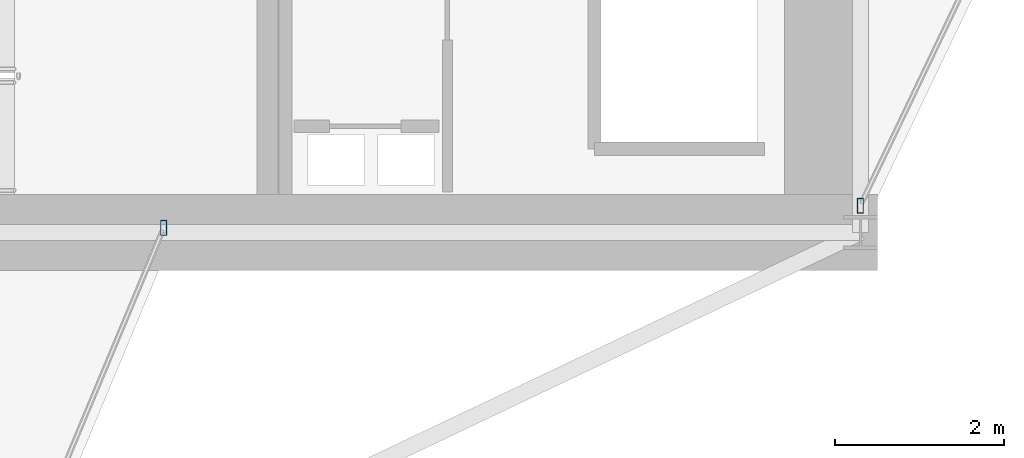
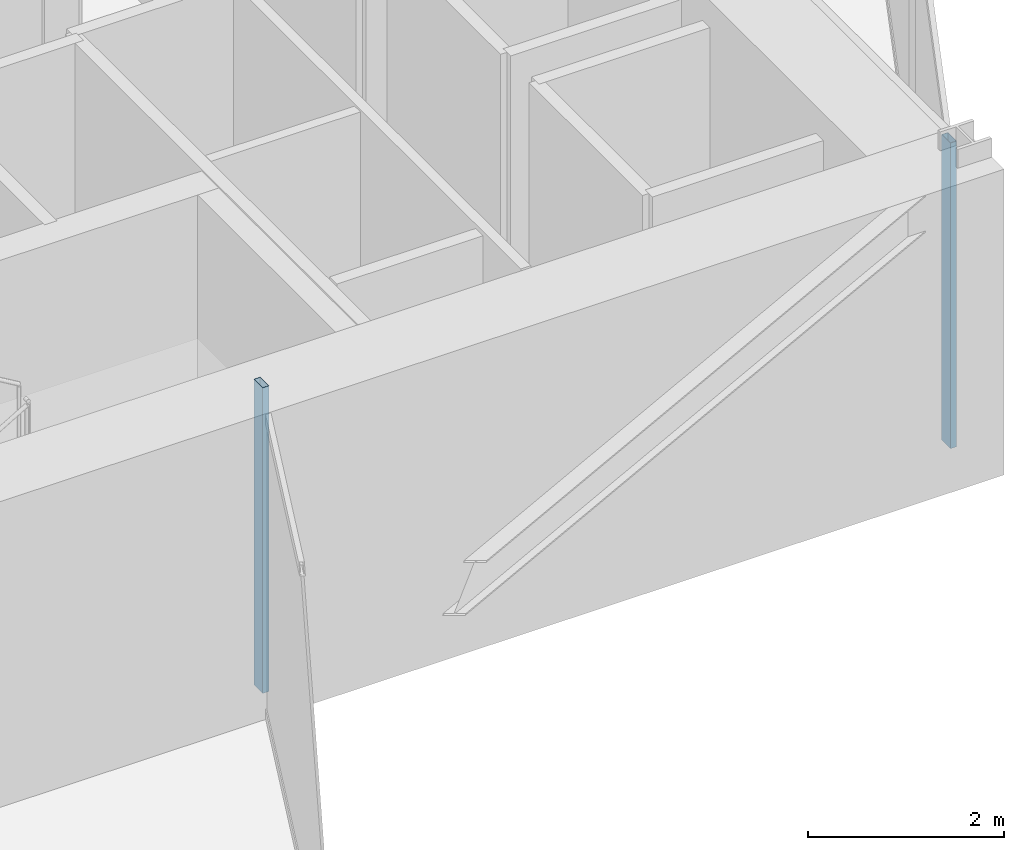
# One storey, part 12 of 24: 2 members, 2 elements without a shape of their own.
"""IFC4 building model written with IfcOpenShell, lengths in metres."""

from ifc_helpers import new_model, si_unit, direction, frame, origin, origin_2d, place, context, subcontext, project, spatial, hollow_rectangle, extrude, material, layer, layer_set, material_profile, profile_set, type_object, element, aggregate, save


model = new_model("IFC4")

# Units and contexts
model_context = context("Model", 3, precision=1e-05, world=origin(), true_north=direction((0.0, 1.0)))
body_context = subcontext(model_context, "Body", "Model", "MODEL_VIEW")
ifc_project = project(units=[si_unit("LENGTHUNIT", "METRE"), si_unit("AREAUNIT", "SQUARE_METRE"), si_unit("VOLUMEUNIT", "CUBIC_METRE"), si_unit("PLANEANGLEUNIT", "RADIAN"), si_unit("MASSUNIT", "GRAM", prefix="KILO")], contexts=[model_context])

# Site, building, storey
site_placement = place(None, origin())
site = spatial("IfcSite", under=ifc_project, at=site_placement, CompositionType="ELEMENT")
building_placement = place(site_placement, origin())
building = spatial("IfcBuilding", under=site, at=building_placement, Name="Veymaron Broadcast Tower", CompositionType="ELEMENT")
storey_placement = place(building_placement, frame((0.0, 0.0, 78.300048828125)))
storey = spatial("IfcBuildingStorey", under=building, at=storey_placement, Name="L17", CompositionType="ELEMENT", Elevation=78.300048828125)

# Curtain wall, member
ifc_material_1 = material(Name="Anodised aluminium AA 6063-T6 and laminated low-E dark glass", Category="aluminium")
ifc_layer = layer(ifc_material_1, 0.179931640625)
ifc_layer_set = layer_set([ifc_layer], Name="Anodised aluminium AA 6063-T6 and laminated low-E dark glass")
curtain_wall_type = type_object("IfcCurtainWallType", Name="CW-SYS-02", PredefinedType="NOTDEFINED", material=ifc_layer_set)
curtain_wall_1_placement = place(storey_placement, origin())
curtain_wall_1 = element("IfcCurtainWall", 1, at=curtain_wall_1_placement, inside=storey, type_object=curtain_wall_type, Name="L17 dark-glass curtain wall CW-L17-E2-1", PredefinedType="NOTDEFINED")
ifc_material_2 = material(Name="Anodised aluminium AA 6063-T6", Category="aluminium")
ifc_material_profile = material_profile(ifc_material_2, hollow_rectangle(XDim=0.074951171875, YDim=0.179931640625, WallThickness=0.0048828125, at=origin_2d()), Name="AL180X75X5")
ifc_profile_set = profile_set([ifc_material_profile], Name="Anodised aluminium AA 6063-T6")
member_type = type_object("IfcMemberType", Name="CW-MUL-02", PredefinedType="MULLION", material=ifc_profile_set)
member_1_placement = place(storey_placement, frame((54.59619140625, 16.31689453125, 0.0), z_axis=(0.0, 0.0, 1.0), x_axis=(1.0, 0.0, 0.0)))
member_1 = element("IfcMember", 2, at=member_1_placement, type_object=member_type, Name="CW-L17-E2-1 mullion 0", PredefinedType="MULLION", context=body_context, shape_type="SweptSolid", body=[
    extrude(hollow_rectangle(XDim=0.074951171875, YDim=0.179931640625, WallThickness=0.0048828125, at=origin_2d()), origin(), (0.0, 0.0, 1.0), 3.81005859375),
])
aggregate(curtain_wall_1, [member_1])

curtain_wall_2_placement = place(storey_placement, origin())
curtain_wall_2 = element("IfcCurtainWall", 3, at=curtain_wall_2_placement, inside=storey, type_object=curtain_wall_type, Name="L17 dark-glass curtain wall CW-L17-E20-1", PredefinedType="NOTDEFINED")
member_2_placement = place(storey_placement, frame((46.336669921875, 16.053955078125, 0.0), z_axis=(0.0, 0.0, 1.0), x_axis=(1.0, 0.0, 0.0)))
member_2 = element("IfcMember", 4, at=member_2_placement, type_object=member_type, Name="CW-L17-E20-1 mullion 2", PredefinedType="MULLION", context=body_context, shape_type="SweptSolid", body=[
    extrude(hollow_rectangle(XDim=0.074951171875, YDim=0.179931640625, WallThickness=0.0048828125, at=origin_2d()), origin(), (0.0, 0.0, 1.0), 3.81005859375),
])
aggregate(curtain_wall_2, [member_2])

save(model, "model.ifc")
